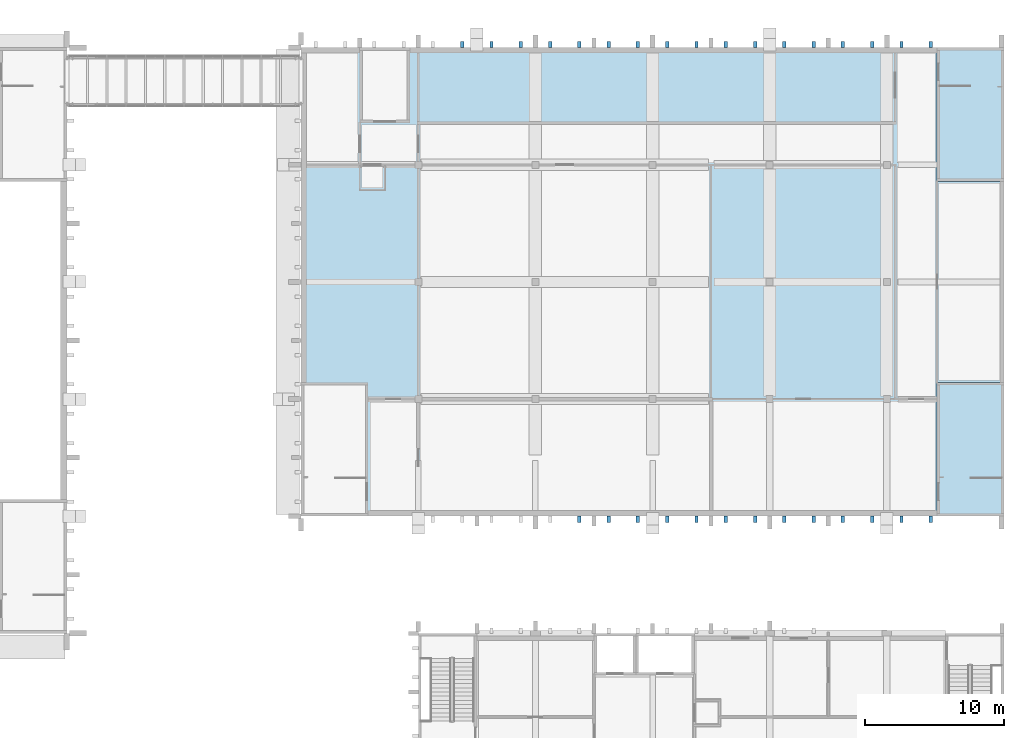
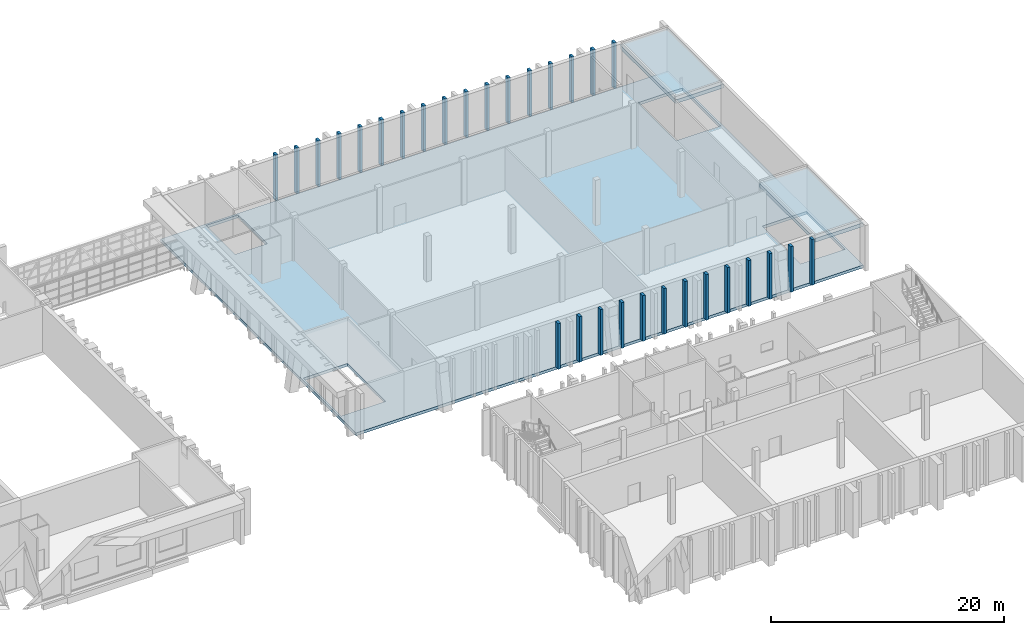
# One storey, part 37 of 86: 30 plates, 3 slabs.
"""IFC4 building model written with IfcOpenShell, lengths in metres."""

from ifc_helpers import new_model, si_unit, direction, frame, origin, origin_2d, place, context, subcontext, project, spatial, polyline, rectangle, outline, extrude, material, layer, layer_set, type_object, element, save


model = new_model("IFC4")

# Units and contexts
model_context = context("Model", 3, precision=1e-05, world=origin(), true_north=direction((0.0, 1.0)))
body_context = subcontext(model_context, "Body", "Model", "MODEL_VIEW")
ifc_project = project(units=[si_unit("LENGTHUNIT", "METRE"), si_unit("AREAUNIT", "SQUARE_METRE"), si_unit("VOLUMEUNIT", "CUBIC_METRE"), si_unit("PLANEANGLEUNIT", "RADIAN"), si_unit("MASSUNIT", "GRAM", prefix="KILO")], contexts=[model_context])

# Site, building, storey
site_placement = place(None, origin())
site = spatial("IfcSite", under=ifc_project, at=site_placement, CompositionType="ELEMENT")
building_placement = place(site_placement, origin())
building = spatial("IfcBuilding", under=site, at=building_placement, Name="Kiln Court Media Centre", CompositionType="ELEMENT")
storey_placement = place(building_placement, frame((0.0, 0.0, 10.199951171875)))
storey = spatial("IfcBuildingStorey", under=building, at=storey_placement, Name="L02", CompositionType="ELEMENT", Elevation=10.199951171875)

# Slabs
ifc_material_1 = material(Name="Concrete C30/37", Category="concrete")
ifc_layer_1 = layer(ifc_material_1, 0.300048828125)
ifc_layer_set_1 = layer_set([ifc_layer_1], Name="Concrete C30/37 floor slab 300")
slab_type_1 = type_object("IfcSlabType", Name="Concrete C30/37 floor slab 300", PredefinedType="FLOOR", material=ifc_layer_set_1)
slab_1_placement = place(storey_placement, frame((0.0, 0.0, -0.300048828125)))
element("IfcSlab", 1, at=slab_1_placement, inside=storey, type_object=slab_type_1, Name="L02-SL-1006", PredefinedType="FLOOR", context=body_context, shape_type="SweptSolid", body=[
    extrude(outline(polyline([(117.60009765625, 33.60009765625), (117.60009765625, 67.199951171875), (168.0, 67.199951171875), (168.0, 33.60009765625), (117.60009765625, 33.60009765625)]), holes=[polyline([(117.800048828125, 36.43994140625), (122.199951171875, 36.43994140625), (122.199951171875, 43.0), (117.800048828125, 43.0), (117.800048828125, 36.43994140625)]), polyline([(163.39990234375, 36.43994140625), (167.800048828125, 36.43994140625), (167.800048828125, 43.0), (163.39990234375, 43.0), (163.39990234375, 36.43994140625)]), polyline([(163.39990234375, 57.800048828125), (167.800048828125, 57.800048828125), (167.800048828125, 64.360107421875), (163.39990234375, 64.360107421875), (163.39990234375, 57.800048828125)]), polyline([(122.0, 62.0), (125.199951171875, 62.0), (125.199951171875, 67.0), (122.0, 67.0), (122.0, 62.0)])]), origin(), (0.0, 0.0, 1.0), 0.300048828125),
])
ifc_material_2 = material(Name="Concrete C30/37", Category="concrete")
ifc_layer_2 = layer(ifc_material_2, 0.39990234375)
ifc_layer_set_2 = layer_set([ifc_layer_2], Name="Concrete C30/37 roof slab 400")
slab_type_2 = type_object("IfcSlabType", Name="Concrete C30/37 roof slab 400", PredefinedType="ROOF", material=ifc_layer_set_2)
slab_2_placement = place(storey_placement, frame((0.0, 0.0, 4.050048828125)))
element("IfcSlab", 2, at=slab_2_placement, inside=storey, type_object=slab_type_2, Name="L02-SL-1013", PredefinedType="ROOF", context=body_context, shape_type="SweptSolid", body=[
    extrude(outline(polyline([(163.199951171875, 33.60009765625), (163.199951171875, 43.199951171875), (168.0, 43.199951171875), (168.0, 33.60009765625), (163.199951171875, 33.60009765625)])), origin(), (0.0, 0.0, 1.0), 0.39990234375),
])
slab_3_placement = place(storey_placement, frame((0.0, 0.0, 4.050048828125)))
element("IfcSlab", 3, at=slab_3_placement, inside=storey, type_object=slab_type_2, Name="L02-SL-1014", PredefinedType="ROOF", context=body_context, shape_type="SweptSolid", body=[
    extrude(outline(polyline([(163.199951171875, 57.60009765625), (163.199951171875, 67.199951171875), (168.0, 67.199951171875), (168.0, 57.60009765625), (163.199951171875, 57.60009765625)])), origin(), (0.0, 0.0, 1.0), 0.39990234375),
])

# Plates
ifc_material_3 = material(Name="Concrete C40/50", Category="concrete")
ifc_layer_3 = layer(ifc_material_3, 0.25)
ifc_layer_set_3 = layer_set([ifc_layer_3], Name="Concrete C40/50 shading fin 250")
plate_type = type_object("IfcPlateType", Name="Concrete C40/50 shading fin 250", PredefinedType="SHEET", material=ifc_layer_set_3)
for number, where, z_axis, x_axis, name in (
    (4, (137.550048828125, 33.375, 0.0), (0.0, 0.0, 1.0), (1.0, 0.0, 0.0), "V2 S fin L02"),
    (5, (139.64990234375, 33.375, 0.0), (0.0, 0.0, 1.0), (1.0, 0.0, 0.0), "V2 S fin L02"),
    (6, (141.75, 33.375, 0.0), (0.0, 0.0, 1.0), (1.0, 0.0, 0.0), "V2 S fin L02"),
    (7, (143.85009765625, 33.375, 0.0), (0.0, 0.0, 1.0), (1.0, 0.0, 0.0), "V2 S fin L02"),
    (8, (145.949951171875, 33.375, 0.0), (0.0, 0.0, 1.0), (1.0, 0.0, 0.0), "V2 S fin L02"),
    (9, (148.050048828125, 33.375, 0.0), (0.0, 0.0, 1.0), (1.0, 0.0, 0.0), "V2 S fin L02"),
    (10, (150.14990234375, 33.375, 0.0), (0.0, 0.0, 1.0), (1.0, 0.0, 0.0), "V2 S fin L02"),
    (11, (152.25, 33.375, 0.0), (0.0, 0.0, 1.0), (1.0, 0.0, 0.0), "V2 S fin L02"),
    (12, (154.35009765625, 33.375, 0.0), (0.0, 0.0, 1.0), (1.0, 0.0, 0.0), "V2 S fin L02"),
    (13, (156.449951171875, 33.375, 0.0), (0.0, 0.0, 1.0), (1.0, 0.0, 0.0), "V2 S fin L02"),
    (14, (158.550048828125, 33.375, 0.0), (0.0, 0.0, 1.0), (1.0, 0.0, 0.0), "V2 S fin L02"),
    (15, (160.64990234375, 33.375, 0.0), (0.0, 0.0, 1.0), (1.0, 0.0, 0.0), "V2 S fin L02"),
    (16, (162.75, 33.375, 0.0), (0.0, 0.0, 1.0), (1.0, 0.0, 0.0), "V2 S fin L02"),
    (17, (129.14990234375, 67.425048828125, 0.0), (0.0, 0.0, 1.0), (1.0, 0.0, 0.0), "V2 N fin L02"),
    (18, (131.25, 67.425048828125, 0.0), (0.0, 0.0, 1.0), (1.0, 0.0, 0.0), "V2 N fin L02"),
    (19, (133.35009765625, 67.425048828125, 0.0), (0.0, 0.0, 1.0), (1.0, 0.0, 0.0), "V2 N fin L02"),
    (20, (135.449951171875, 67.425048828125, 0.0), (0.0, 0.0, 1.0), (1.0, 0.0, 0.0), "V2 N fin L02"),
    (21, (137.550048828125, 67.425048828125, 0.0), (0.0, 0.0, 1.0), (1.0, 0.0, 0.0), "V2 N fin L02"),
    (22, (139.64990234375, 67.425048828125, 0.0), (0.0, 0.0, 1.0), (1.0, 0.0, 0.0), "V2 N fin L02"),
    (23, (141.75, 67.425048828125, 0.0), (0.0, 0.0, 1.0), (1.0, 0.0, 0.0), "V2 N fin L02"),
    (24, (143.85009765625, 67.425048828125, 0.0), (0.0, 0.0, 1.0), (1.0, 0.0, 0.0), "V2 N fin L02"),
    (25, (145.949951171875, 67.425048828125, 0.0), (0.0, 0.0, 1.0), (1.0, 0.0, 0.0), "V2 N fin L02"),
    (26, (148.050048828125, 67.425048828125, 0.0), (0.0, 0.0, 1.0), (1.0, 0.0, 0.0), "V2 N fin L02"),
    (27, (150.14990234375, 67.425048828125, 0.0), (0.0, 0.0, 1.0), (1.0, 0.0, 0.0), "V2 N fin L02"),
    (28, (152.25, 67.425048828125, 0.0), (0.0, 0.0, 1.0), (1.0, 0.0, 0.0), "V2 N fin L02"),
    (29, (154.35009765625, 67.425048828125, 0.0), (0.0, 0.0, 1.0), (1.0, 0.0, 0.0), "V2 N fin L02"),
    (30, (156.449951171875, 67.425048828125, 0.0), (0.0, 0.0, 1.0), (1.0, 0.0, 0.0), "V2 N fin L02"),
    (31, (158.550048828125, 67.425048828125, 0.0), (0.0, 0.0, 1.0), (1.0, 0.0, 0.0), "V2 N fin L02"),
    (32, (160.64990234375, 67.425048828125, 0.0), (0.0, 0.0, 1.0), (1.0, 0.0, 0.0), "V2 N fin L02"),
    (33, (162.75, 67.425048828125, 0.0), (0.0, 0.0, 1.0), (1.0, 0.0, 0.0), "V2 N fin L02"),
):
    element("IfcPlate", number, at=place(storey_placement, frame(where, z_axis=z_axis, x_axis=x_axis)), inside=storey, type_object=plate_type, Name=name, PredefinedType="SHEET", context=body_context, shape_type="SweptSolid", body=[
        extrude(rectangle(XDim=0.25, YDim=0.449951171875, at=origin_2d()), origin(), (0.0, 0.0, 1.0), 4.800048828125),
    ])

save(model, "model.ifc")
